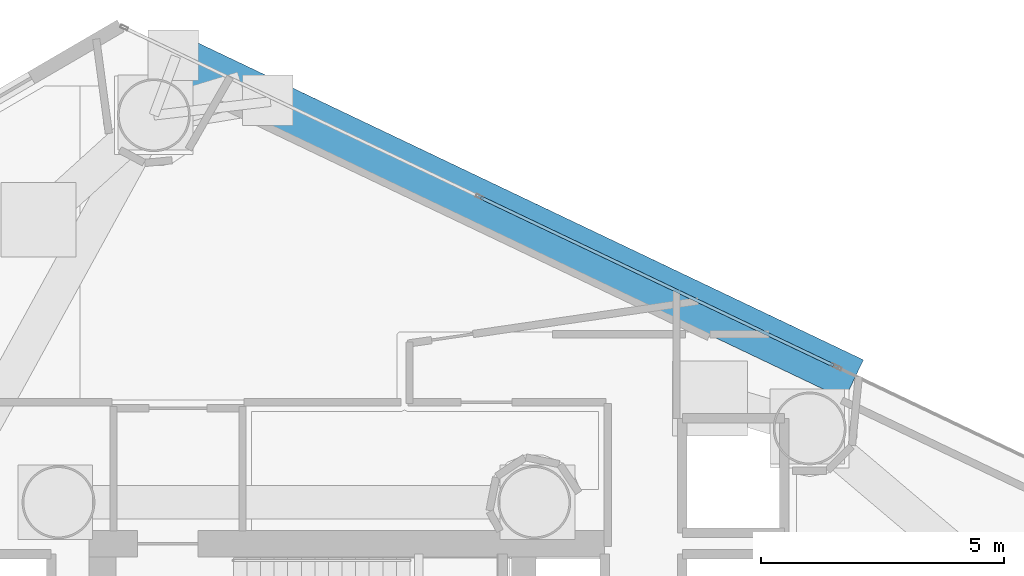
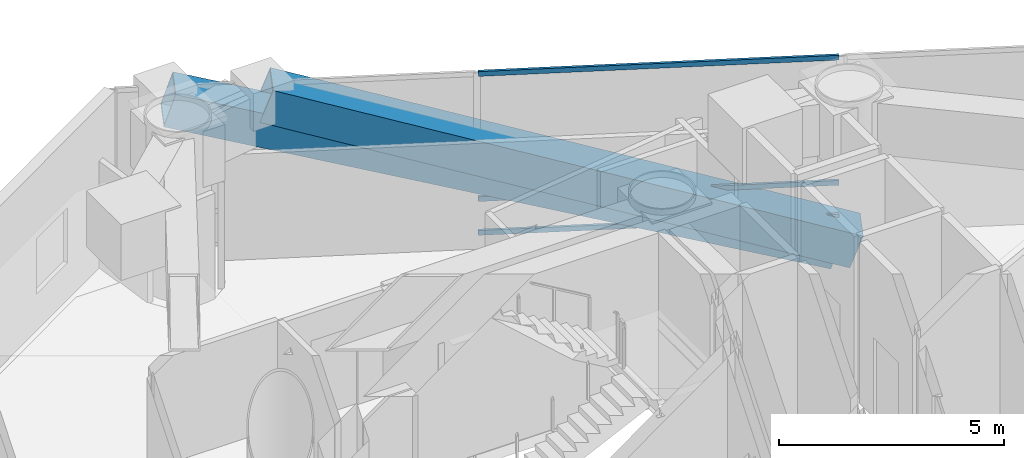
# One storey, part 12 of 22: 5 members, 1 element without a shape of its own.
"""IFC4 building model written with IfcOpenShell, lengths in metres."""

from ifc_helpers import new_model, si_unit, direction, frame, origin, origin_2d, place, context, subcontext, project, spatial, hollow_rectangle, extrude, material, layer, layer_set, material_profile, profile_set, type_object, element, aggregate, save


model = new_model("IFC4")

# Units and contexts
model_context = context("Model", 3, precision=1e-05, world=origin(), true_north=direction((0.0, 1.0)))
body_context = subcontext(model_context, "Body", "Model", "MODEL_VIEW")
ifc_project = project(units=[si_unit("LENGTHUNIT", "METRE"), si_unit("AREAUNIT", "SQUARE_METRE"), si_unit("VOLUMEUNIT", "CUBIC_METRE"), si_unit("PLANEANGLEUNIT", "RADIAN"), si_unit("MASSUNIT", "GRAM", prefix="KILO")], contexts=[model_context])

# Site, building, storey
site_placement = place(None, origin())
site = spatial("IfcSite", under=ifc_project, at=site_placement, CompositionType="ELEMENT")
building_placement = place(site_placement, origin())
building = spatial("IfcBuilding", under=site, at=building_placement, Name="Qianvela Tower", CompositionType="ELEMENT")
storey_placement = place(building_placement, frame((0.0, 0.0, 138.5)))
storey = spatial("IfcBuildingStorey", under=building, at=storey_placement, Name="L35", CompositionType="ELEMENT", Elevation=138.5)

# Curtain wall, members
ifc_material_1 = material(Name="Anodised Architectural Aluminium and Insulated Spandrel Panel", Category="aluminium")
ifc_layer = layer(ifc_material_1, 0.179931640625)
ifc_layer_set = layer_set([ifc_layer], Name="Anodised Architectural Aluminium and Insulated Spandrel Panel")
curtain_wall_type = type_object("IfcCurtainWallType", Name="CW-BRACEBAY", PredefinedType="USERDEFINED", material=ifc_layer_set)
curtain_wall_placement = place(storey_placement, origin())
curtain_wall = element("IfcCurtainWall", 1, at=curtain_wall_placement, inside=storey, type_object=curtain_wall_type, Name="L35 CW-BRACEBAY Curtain Wall 02B", ObjectType="CURTAIN_WALL_SYSTEM", PredefinedType="USERDEFINED")
ifc_material_2 = material(Name="Anodised Architectural Aluminium 6063-T6", Category="aluminium")
ifc_material_profile_1 = material_profile(ifc_material_2, hollow_rectangle(XDim=0.06494140625, YDim=0.1298828125, WallThickness=0.00439453125, at=origin_2d()), Name="ALU-TRAN-65x130")
ifc_profile_set_1 = profile_set([ifc_material_profile_1], Name="Anodised Architectural Aluminium 6063-T6")
member_type_1 = type_object("IfcMemberType", Name="CW-BRACEBAY-TRAN", PredefinedType="USERDEFINED", material=ifc_profile_set_1)
member_1_placement = place(storey_placement, frame((44.560546875, 36.3671875, 0.032470703125), z_axis=(-0.902778008939, 0.430106808335, 0.0), x_axis=(-0.430106808335, -0.902778008939, 0.0)))
member_1 = element("IfcMember", 2, at=member_1_placement, type_object=member_type_1, Name="CW-9 transom 1.1", ObjectType="TRANSOM", PredefinedType="USERDEFINED", context=body_context, shape_type="SweptSolid", body=[
    extrude(hollow_rectangle(XDim=0.06494140625, YDim=0.1298828125, WallThickness=0.00439453125, at=origin_2d()), origin(), (0.0, 0.0, 1.0), 8.04150390625),
])
member_2_placement = place(storey_placement, frame((44.560546875, 36.3671875, 0.949951171875), z_axis=(-0.902778008939, 0.430106808335, 0.0), x_axis=(-0.430106808335, -0.902778008939, 0.0)))
member_2 = element("IfcMember", 3, at=member_2_placement, type_object=member_type_1, Name="CW-9 transom 1.2", ObjectType="TRANSOM", PredefinedType="USERDEFINED", context=body_context, shape_type="SweptSolid", body=[
    extrude(hollow_rectangle(XDim=0.06494140625, YDim=0.1298828125, WallThickness=0.00439453125, at=origin_2d()), origin(), (0.0, 0.0, 1.0), 8.04150390625),
])
member_3_placement = place(storey_placement, frame((44.560546875, 36.3671875, 4.347412109375), z_axis=(-0.902778008939, 0.430106808335, 0.0), x_axis=(-0.430106808335, -0.902778008939, 0.0)))
member_3 = element("IfcMember", 4, at=member_3_placement, type_object=member_type_1, Name="CW-9 transom 1.3", ObjectType="TRANSOM", PredefinedType="USERDEFINED", context=body_context, shape_type="SweptSolid", body=[
    extrude(hollow_rectangle(XDim=0.06494140625, YDim=0.1298828125, WallThickness=0.00439453125, at=origin_2d()), origin(), (0.0, 0.0, 1.0), 8.04150390625),
])
aggregate(curtain_wall, [member_1, member_2, member_3])

# Members
ifc_material_3 = material(Name="Steel Q420GJC", Category="steel")
ifc_material_profile_2 = material_profile(ifc_material_3, hollow_rectangle(XDim=0.89990234375, YDim=0.89990234375, WallThickness=0.035888671875, at=origin_2d()), Name="MBOX-900x900x36")
ifc_profile_set_2 = profile_set([ifc_material_profile_2], Name="Steel Q420GJC")
member_type_2 = type_object("IfcMemberType", Name="MBR-MBRACE-900", PredefinedType="BRACE", material=ifc_profile_set_2)
member_4_placement = place(storey_placement, frame((44.84912109375, 36.14111328125, -0.60205078125), z_axis=(-0.850621713788, 0.405230228419, 0.335009196902), x_axis=(-0.430082613456, -0.902789535608, 0.0)))
element("IfcMember", 5, at=member_4_placement, inside=storey, type_object=member_type_2, Name="L35 Tier 6 Exterior Mega-Brace F1A", PredefinedType="BRACE", context=body_context, shape_type="SweptSolid", body=[
    extrude(hollow_rectangle(XDim=0.89990234375, YDim=0.89990234375, WallThickness=0.035888671875, at=origin_2d()), origin(), (0.0, 0.0, 1.0), 13.969482421875),
])
member_5_placement = place(storey_placement, frame((44.4521484375, 36.330322265625, -0.60205078125), z_axis=(-0.861205772679, 0.410273121516, 0.300000971442), x_axis=(-0.430083229937, -0.90278924192, 0.0)))
element("IfcMember", 6, at=member_5_placement, inside=storey, type_object=member_type_2, Name="L35 Tier 6 Exterior Mega-Brace F1B", PredefinedType="BRACE", context=body_context, shape_type="SweptSolid", body=[
    extrude(hollow_rectangle(XDim=0.89990234375, YDim=0.89990234375, WallThickness=0.035888671875, at=origin_2d()), origin(), (0.0, 0.0, 1.0), 15.599609375),
])

save(model, "model.ifc")
